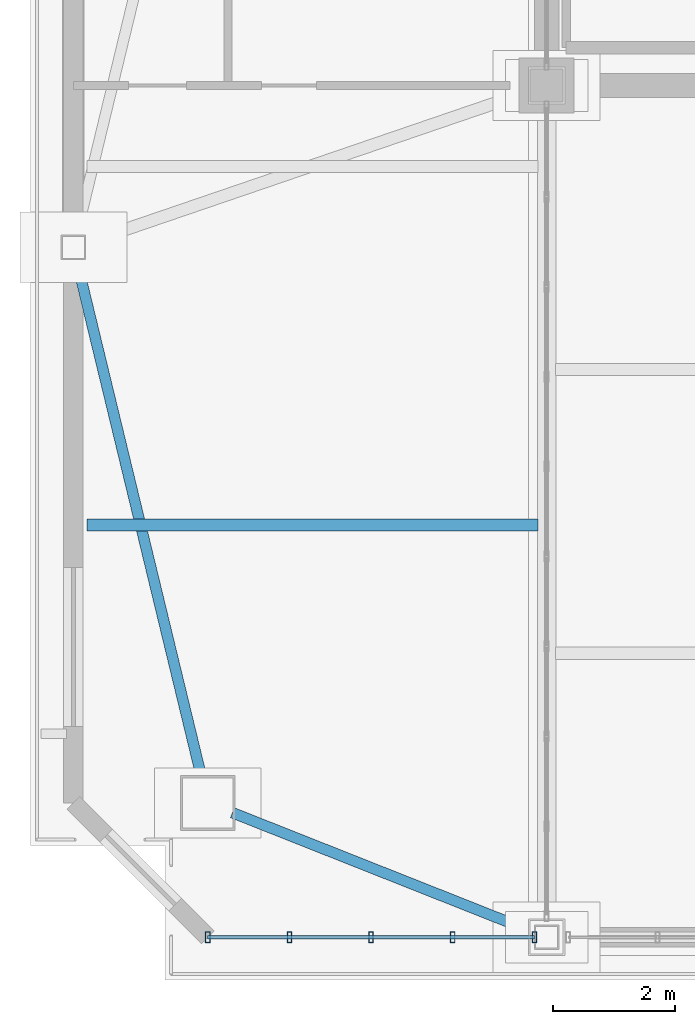
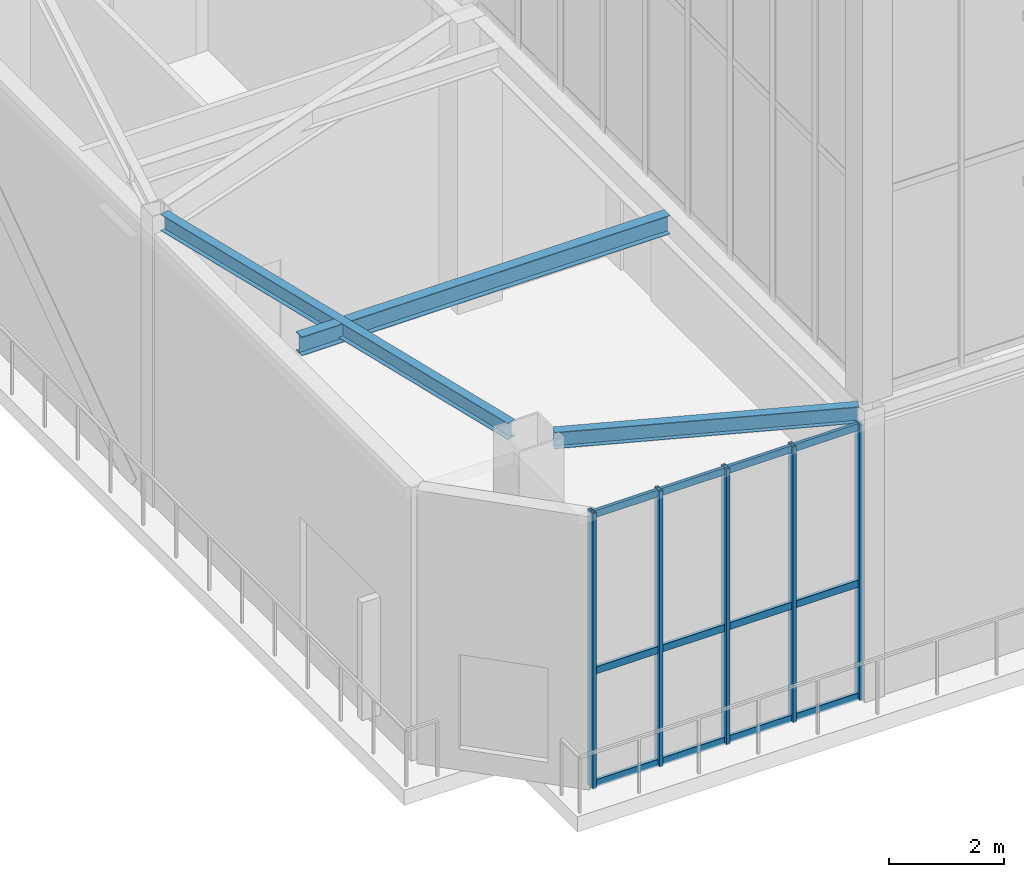
# One storey, part 2 of 135: 8 members, 3 beams, 1 element without a shape of its own.
"""IFC4 building model written with IfcOpenShell, lengths in metres."""

from ifc_helpers import new_model, si_unit, direction, frame, origin, origin_2d, place, context, subcontext, project, spatial, hollow_rectangle, i_section, extrude, source, transform, mapped, material, layer, layer_set, material_profile, profile_set, type_object, element, aggregate, save


model = new_model("IFC4")

# Units and contexts
model_context = context("Model", 3, precision=1e-05, world=origin(), true_north=direction((0.0, 1.0)))
body_context = subcontext(model_context, "Body", "Model", "MODEL_VIEW")
ifc_project = project(units=[si_unit("LENGTHUNIT", "METRE"), si_unit("AREAUNIT", "SQUARE_METRE"), si_unit("VOLUMEUNIT", "CUBIC_METRE"), si_unit("PLANEANGLEUNIT", "RADIAN"), si_unit("MASSUNIT", "GRAM", prefix="KILO")], contexts=[model_context])

# Site, building, storey
site_placement = place(None, origin())
site = spatial("IfcSite", under=ifc_project, at=site_placement, CompositionType="ELEMENT")
building_placement = place(site_placement, origin())
building = spatial("IfcBuilding", under=site, at=building_placement, Name="Giltprow Tower", CompositionType="ELEMENT")
storey_placement = place(building_placement, frame((0.0, 0.0, 352.699951171875)))
storey = spatial("IfcBuildingStorey", under=building, at=storey_placement, Name="L92", CompositionType="ELEMENT", Elevation=352.699951171875)

# Beams
ifc_material_1 = material(Name="Structural steel Q355B", Category="steel")
ifc_material_profile_1 = material_profile(ifc_material_1, i_section(OverallWidth=0.175048828125, OverallDepth=0.35009765625, WebThickness=0.007080078125, FlangeThickness=0.010986328125, at=origin_2d()), Name="HN 350x175x7x11")
ifc_profile_set_1 = profile_set([ifc_material_profile_1], Name="Structural steel Q355B")
beam_type_1 = type_object("IfcBeamType", Name="BM-SPAN-HN350", PredefinedType="SPANDREL", material=ifc_profile_set_1)
shared_shape_1 = source(origin(), body_context, "Body", "SweptSolid", [
    extrude(i_section(OverallWidth=0.175048828125, OverallDepth=0.35009765625, WebThickness=0.007080078125, FlangeThickness=0.010986328125, at=origin_2d()), origin(), (0.0, 0.0, 1.0), 5.3505859375),
])
beam_1_placement = place(storey_placement, frame((14.7041015625, 25.5400390625, 5.985107421875), z_axis=(0.929608362745, -0.368548900304, 0.0), x_axis=(0.368548900304, 0.929608362745, 0.0)))
element("IfcBeam", 1, at=beam_1_placement, inside=storey, type_object=beam_type_1, Name="L92 Perimeter Spandrel Beam MC_SW-S1", PredefinedType="SPANDREL", context=body_context, shape_type="MappedRepresentation", body=[
    mapped(shared_shape_1, transform((0.0, 0.0, 0.0), x_axis=(1.0, 0.0, 0.0), y_axis=(0.0, 1.0, 0.0), z_axis=(0.0, 0.0, 1.0), scale=1.0)),
])
shared_shape_2 = source(origin(), body_context, "Body", "SweptSolid", [
    extrude(i_section(OverallWidth=0.175048828125, OverallDepth=0.35009765625, WebThickness=0.007080078125, FlangeThickness=0.010986328125, at=origin_2d()), origin(), (0.0, 0.0, 1.0), 8.741943359375),
])
beam_2_placement = place(storey_placement, frame((12.14306640625, 34.6201171875, 5.985107421875), z_axis=(0.235063655766, -0.971979978054, 0.0), x_axis=(0.971979978054, 0.235063655766, 0.0)))
element("IfcBeam", 2, at=beam_2_placement, inside=storey, type_object=beam_type_1, Name="L92 Perimeter Spandrel Beam W_MID-MC_SW", PredefinedType="SPANDREL", context=body_context, shape_type="MappedRepresentation", body=[
    mapped(shared_shape_2, transform((0.0, 0.0, 0.0), x_axis=(1.0, 0.0, 0.0), y_axis=(0.0, 1.0, 0.0), z_axis=(0.0, 0.0, 1.0), scale=1.0)),
])
ifc_material_profile_2 = material_profile(ifc_material_1, i_section(OverallWidth=0.199951171875, OverallDepth=0.39990234375, WebThickness=0.008056640625, FlangeThickness=0.012939453125, at=origin_2d()), Name="HN 400x200x8x13")
ifc_profile_set_2 = profile_set([ifc_material_profile_2], Name="Structural steel Q355B")
beam_type_2 = type_object("IfcBeamType", Name="BM-JOIST-HN400", PredefinedType="JOIST", material=ifc_profile_set_2)
shared_shape_3 = source(origin(), body_context, "Body", "SweptSolid", [
    extrude(i_section(OverallWidth=0.199951171875, OverallDepth=0.39990234375, WebThickness=0.008056640625, FlangeThickness=0.012939453125, at=origin_2d()), origin(), (0.0, 0.0, 1.0), 7.385009765625),
])
beam_3_placement = place(storey_placement, frame((12.320068359375, 30.25, 5.9599609375), z_axis=(1.0, 0.0, 0.0), x_axis=(0.0, 1.0, 0.0)))
element("IfcBeam", 3, at=beam_3_placement, inside=storey, type_object=beam_type_2, Name="L92 West Wing Floor Joist 1", PredefinedType="JOIST", context=body_context, shape_type="MappedRepresentation", body=[
    mapped(shared_shape_3, transform((0.0, 0.0, 0.0), x_axis=(1.0, 0.0, 0.0), y_axis=(0.0, 1.0, 0.0), z_axis=(0.0, 0.0, 1.0), scale=1.0)),
])

# Curtain wall, members
ifc_material_2 = material(Name="Anodized bronze", Category="metal")
ifc_layer = layer(ifc_material_2, 0.179931640625, Name="Anodized bronze")
ifc_layer_set = layer_set([ifc_layer], Name="Anodized bronze")
curtain_wall_type = type_object("IfcCurtainWallType", Name="CW-CROWN-LANTERN", PredefinedType="NOTDEFINED", material=ifc_layer_set)
curtain_wall_placement = place(storey_placement, origin())
curtain_wall = element("IfcCurtainWall", 4, at=curtain_wall_placement, inside=storey, type_object=curtain_wall_type, Name="L92 South Recessed Curtain Wall 1", PredefinedType="NOTDEFINED")
ifc_material_profile_3 = material_profile(ifc_material_2, hollow_rectangle(XDim=0.06494140625, YDim=0.14990234375, WallThickness=0.006103515625, at=origin_2d()), Name="RHS 150x65x6")
ifc_profile_set_3 = profile_set([ifc_material_profile_3], Name="Anodized bronze")
member_type_1 = type_object("IfcMemberType", Name="CW-TRANSOM-150x65", PredefinedType="USERDEFINED", material=ifc_profile_set_3)
shared_shape_4 = source(origin(), body_context, "Body", "SweptSolid", [
    extrude(hollow_rectangle(XDim=0.06494140625, YDim=0.14990234375, WallThickness=0.006103515625, at=origin_2d()), origin(), (0.0, 0.0, 1.0), 5.349853515625),
])
member_1_placement = place(storey_placement, frame((14.300048828125, 23.5, 0.0400390625), z_axis=(1.0, 0.0, 0.0), x_axis=(0.0, 1.0, 0.0)))
member_1 = element("IfcMember", 5, at=member_1_placement, type_object=member_type_1, Name="L92 South Recessed Curtain Wall 1 Transom 1", ObjectType="TRANSOM", PredefinedType="USERDEFINED", context=body_context, shape_type="MappedRepresentation", body=[
    mapped(shared_shape_4, transform((0.0, 0.0, 0.0), x_axis=(1.0, 0.0, 0.0), y_axis=(0.0, 1.0, 0.0), z_axis=(0.0, 0.0, 1.0), scale=1.0)),
])
member_2_placement = place(storey_placement, frame((14.300048828125, 23.5, 2.43212890625), z_axis=(1.0, 0.0, 0.0), x_axis=(0.0, 1.0, 0.0)))
member_2 = element("IfcMember", 6, at=member_2_placement, type_object=member_type_1, Name="L92 South Recessed Curtain Wall 1 Transom 2", ObjectType="TRANSOM", PredefinedType="USERDEFINED", context=body_context, shape_type="MappedRepresentation", body=[
    mapped(shared_shape_4, transform((0.0, 0.0, 0.0), x_axis=(1.0, 0.0, 0.0), y_axis=(0.0, 1.0, 0.0), z_axis=(0.0, 0.0, 1.0), scale=1.0)),
])
member_3_placement = place(storey_placement, frame((14.300048828125, 23.5, 5.75), z_axis=(1.0, 0.0, 0.0), x_axis=(0.0, 1.0, 0.0)))
member_3 = element("IfcMember", 7, at=member_3_placement, type_object=member_type_1, Name="L92 South Recessed Curtain Wall 1 Transom 3", ObjectType="TRANSOM", PredefinedType="USERDEFINED", context=body_context, shape_type="MappedRepresentation", body=[
    mapped(shared_shape_4, transform((0.0, 0.0, 0.0), x_axis=(1.0, 0.0, 0.0), y_axis=(0.0, 1.0, 0.0), z_axis=(0.0, 0.0, 1.0), scale=1.0)),
])
ifc_material_profile_4 = material_profile(ifc_material_2, hollow_rectangle(XDim=0.074951171875, YDim=0.179931640625, WallThickness=0.008056640625, at=origin_2d()), Name="RHS 180x75x8")
ifc_profile_set_4 = profile_set([ifc_material_profile_4], Name="Anodized bronze")
member_type_2 = type_object("IfcMemberType", Name="CW-MULLION-180x75", PredefinedType="MULLION", material=ifc_profile_set_4)
shared_shape_5 = source(origin(), body_context, "Body", "SweptSolid", [
    extrude(hollow_rectangle(XDim=0.074951171875, YDim=0.179931640625, WallThickness=0.008056640625, at=origin_2d()), origin(), (0.0, 0.0, 1.0), 5.844970703125),
])
member_4_placement = place(storey_placement, frame((14.300048828125, 23.5, -0.02001953125), z_axis=(0.0, 0.0, 1.0), x_axis=(1.0, 0.0, 0.0)))
member_4 = element("IfcMember", 8, at=member_4_placement, type_object=member_type_2, Name="L92 South Recessed Curtain Wall 1 Mullion 1", PredefinedType="MULLION", context=body_context, shape_type="MappedRepresentation", body=[
    mapped(shared_shape_5, transform((0.0, 0.0, 0.0), x_axis=(1.0, 0.0, 0.0), y_axis=(0.0, 1.0, 0.0), z_axis=(0.0, 0.0, 1.0), scale=1.0)),
])
member_5_placement = place(storey_placement, frame((15.636962890625, 23.5, -0.02001953125), z_axis=(0.0, 0.0, 1.0), x_axis=(1.0, 0.0, 0.0)))
member_5 = element("IfcMember", 9, at=member_5_placement, type_object=member_type_2, Name="L92 South Recessed Curtain Wall 1 Mullion 2", PredefinedType="MULLION", context=body_context, shape_type="MappedRepresentation", body=[
    mapped(shared_shape_5, transform((0.0, 0.0, 0.0), x_axis=(1.0, 0.0, 0.0), y_axis=(0.0, 1.0, 0.0), z_axis=(0.0, 0.0, 1.0), scale=1.0)),
])
member_6_placement = place(storey_placement, frame((16.97509765625, 23.5, -0.02001953125), z_axis=(0.0, 0.0, 1.0), x_axis=(1.0, 0.0, 0.0)))
member_6 = element("IfcMember", 10, at=member_6_placement, type_object=member_type_2, Name="L92 South Recessed Curtain Wall 1 Mullion 3", PredefinedType="MULLION", context=body_context, shape_type="MappedRepresentation", body=[
    mapped(shared_shape_5, transform((0.0, 0.0, 0.0), x_axis=(1.0, 0.0, 0.0), y_axis=(0.0, 1.0, 0.0), z_axis=(0.0, 0.0, 1.0), scale=1.0)),
])
member_7_placement = place(storey_placement, frame((18.31201171875, 23.5, -0.02001953125), z_axis=(0.0, 0.0, 1.0), x_axis=(1.0, 0.0, 0.0)))
member_7 = element("IfcMember", 11, at=member_7_placement, type_object=member_type_2, Name="L92 South Recessed Curtain Wall 1 Mullion 4", PredefinedType="MULLION", context=body_context, shape_type="MappedRepresentation", body=[
    mapped(shared_shape_5, transform((0.0, 0.0, 0.0), x_axis=(1.0, 0.0, 0.0), y_axis=(0.0, 1.0, 0.0), z_axis=(0.0, 0.0, 1.0), scale=1.0)),
])
member_8_placement = place(storey_placement, frame((19.64990234375, 23.5, -0.02001953125), z_axis=(0.0, 0.0, 1.0), x_axis=(1.0, 0.0, 0.0)))
member_8 = element("IfcMember", 12, at=member_8_placement, type_object=member_type_2, Name="L92 South Recessed Curtain Wall 1 Mullion 5", PredefinedType="MULLION", context=body_context, shape_type="MappedRepresentation", body=[
    mapped(shared_shape_5, transform((0.0, 0.0, 0.0), x_axis=(1.0, 0.0, 0.0), y_axis=(0.0, 1.0, 0.0), z_axis=(0.0, 0.0, 1.0), scale=1.0)),
])
aggregate(curtain_wall, [member_4, member_5, member_6, member_7, member_8, member_1, member_2, member_3])

save(model, "model.ifc")
